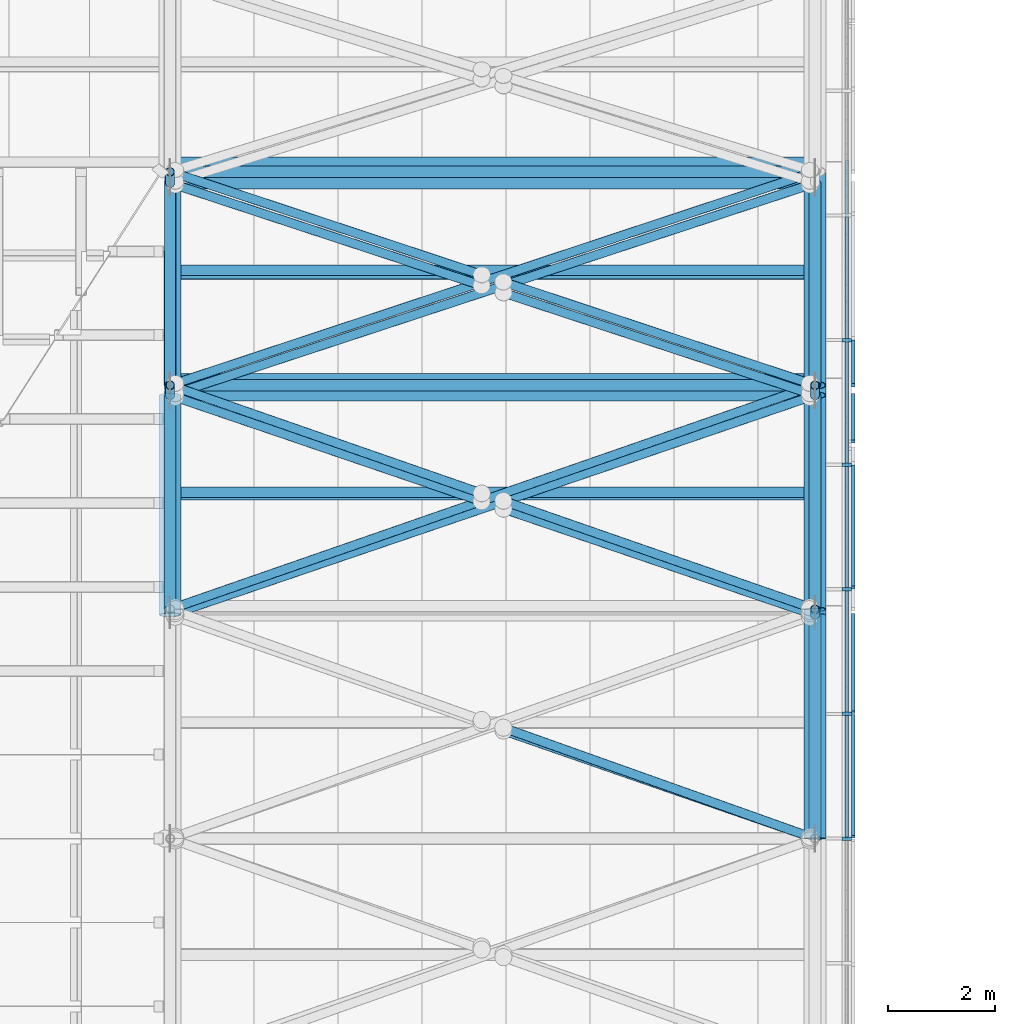
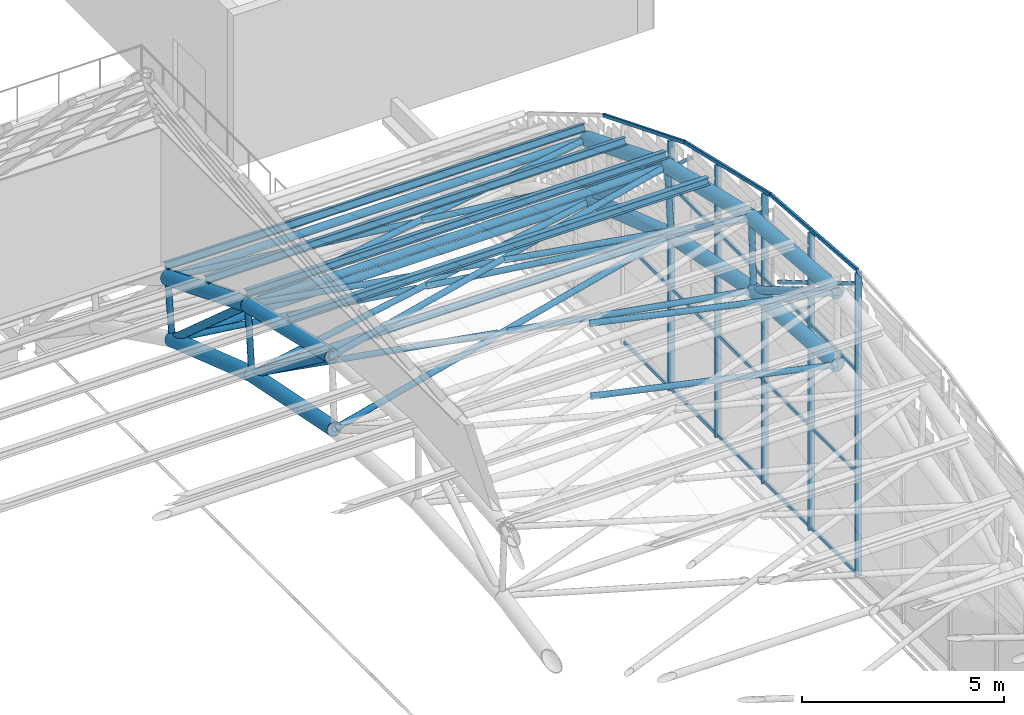
# One storey, part 39 of 110: 68 members, 1 element without a shape of its own.
"""IFC4 building model written with IfcOpenShell, lengths in metres."""

import ifcopenshell
import ifcopenshell.guid

model = None  # the IFC model being written
_history = None  # IfcOwnerHistory: only IFC2X3 demands one
_inside = {}  # id of a spatial element -> (the spatial element, [elements in it])
_under = {}  # id of a project, library or spatial element -> (it, [spatial elements below it])
_declared = {}  # id of a project -> (the project, [libraries it declares])
_typed = {}  # id of a type object -> (the type object, [elements of that type])
_made_of = {}  # id of a material, layer set ... -> (it, [elements and type objects made of it])


def new_model(schema):
    """Start an empty IFC model of exactly this schema.

    Asked for "IFC4X3", IfcOpenShell would pick the latest addendum, in which some entities
    have other attributes; the version numbers below select the first issue.
    IFC2X3 requires an IfcOwnerHistory on every rooted entity: one is made here for all.
    """
    global model, _history
    if schema == "IFC4X3":
        model = ifcopenshell.file(schema_version=(4, 3, 0, 0))
    else:
        model = ifcopenshell.file(schema=schema)
    _inside.clear()
    _under.clear()
    _declared.clear()
    _typed.clear()
    _made_of.clear()
    _history = None
    if model.schema == "IFC2X3":
        org = make("IfcOrganization", Name="unknown")
        user = make(
            "IfcPersonAndOrganization",
            ThePerson=make("IfcPerson", FamilyName="unknown"),
            TheOrganization=org,
        )
        app = make(
            "IfcApplication",
            ApplicationDeveloper=org,
            Version="unknown",
            ApplicationFullName="unknown",
            ApplicationIdentifier="unknown",
        )
        _history = make(
            "IfcOwnerHistory",
            OwningUser=user,
            OwningApplication=app,
            ChangeAction="ADDED",
            CreationDate=0,
        )
    return model


def make(cls, **values):
    """One entity of the class cls with the attributes given. An attribute that is None is left unset."""
    return model.create_entity(
        cls, **{name: value for name, value in values.items() if value is not None}
    )


def rooted(cls, **values):
    """An entity with a GlobalId (a new one), such as an element, a storey or a relation."""
    return make(cls, GlobalId=ifcopenshell.guid.new(), OwnerHistory=_history, **values)


def si_unit(unit_type, name, prefix=None):
    """IfcSIUnit, for example si_unit("LENGTHUNIT", "METRE", prefix="MILLI")."""
    return make("IfcSIUnit", UnitType=unit_type, Prefix=prefix, Name=name)


def assignment(units):
    """IfcUnitAssignment: the units of a project."""
    return None if units is None else make("IfcUnitAssignment", Units=units)


def point(xyz):
    """IfcCartesianPoint."""
    return None if xyz is None else make("IfcCartesianPoint", Coordinates=xyz)


def direction(xyz):
    """IfcDirection."""
    return None if xyz is None else make("IfcDirection", DirectionRatios=xyz)


def frame(location, z_axis=None, x_axis=None):
    """IfcAxis2Placement3D, a coordinate frame: its origin and axes. An axis left out is left unset."""
    return make(
        "IfcAxis2Placement3D",
        Location=point(location),
        Axis=direction(z_axis),
        RefDirection=direction(x_axis),
    )


def frame_2d(location, x_axis=None):
    """IfcAxis2Placement2D, a coordinate frame in the plane: its origin and x axis."""
    return make(
        "IfcAxis2Placement2D", Location=point(location), RefDirection=direction(x_axis)
    )


def origin():
    """The frame at (0, 0, 0) with its axes left unset."""
    return frame((0.0, 0.0, 0.0))


def origin_2d():
    """The frame at (0, 0) in the plane with its x axis left unset."""
    return frame_2d((0.0, 0.0))


def place(relative_to, where):
    """IfcLocalPlacement: puts the frame where relative to a parent placement (None: the world)."""
    return make(
        "IfcLocalPlacement", PlacementRelTo=relative_to, RelativePlacement=where
    )


def context(
    kind, dimensions, precision=None, world=None, true_north=None, identifier=None
):
    """IfcGeometricRepresentationContext, for example the 3D "Model" context."""
    return make(
        "IfcGeometricRepresentationContext",
        ContextIdentifier=identifier,
        ContextType=kind,
        CoordinateSpaceDimension=dimensions,
        Precision=precision,
        WorldCoordinateSystem=world,
        TrueNorth=true_north,
    )


def subcontext(parent, identifier, kind, view, scale=None):
    """IfcGeometricRepresentationSubContext, for example "Body" below "Model"."""
    return make(
        "IfcGeometricRepresentationSubContext",
        ContextIdentifier=identifier,
        ContextType=kind,
        ParentContext=parent,
        TargetScale=scale,
        TargetView=view,
    )


def project(units=None, contexts=None):
    """IfcProject with its units and contexts."""
    return rooted(
        "IfcProject",
        Name="project",
        RepresentationContexts=contexts,
        UnitsInContext=assignment(units),
    )


def spatial(cls, under=None, at=None, **own):
    """A site, building, storey or space (cls), placed at a placement, below another one or the project."""
    s = rooted(cls, ObjectPlacement=at, **own)
    if under is not None:
        _under.setdefault(under.id(), (under, []))[1].append(s)
    return s


def profile(cls, at=None, kind="AREA", **sizes):
    """A parametric profile (cls). Its sizes go by their IFC names, for example OverallWidth=200.0."""
    return make(cls, ProfileType=kind, Position=at, **sizes)


def rectangle(**sizes):
    """IfcRectangleProfileDef."""
    return profile("IfcRectangleProfileDef", **sizes)


def hollow_circle(**sizes):
    """IfcCircleHollowProfileDef."""
    return profile("IfcCircleHollowProfileDef", **sizes)


def i_section(**sizes):
    """IfcIShapeProfileDef."""
    return profile("IfcIShapeProfileDef", **sizes)


def extrude(swept, where, along, depth):
    """IfcExtrudedAreaSolid: the profile swept, set in the frame where, extruded along a direction by depth."""
    return make(
        "IfcExtrudedAreaSolid",
        SweptArea=swept,
        Position=where,
        ExtrudedDirection=direction(along),
        Depth=depth,
    )


def shape(context_of_items, identifier, shape_type, items):
    """IfcShapeRepresentation: the items that make up one representation, for example the "Body"."""
    return make(
        "IfcShapeRepresentation",
        ContextOfItems=context_of_items,
        RepresentationIdentifier=identifier,
        RepresentationType=shape_type,
        Items=items,
    )


def material(Name=None, Category=None):
    """IfcMaterial."""
    return make("IfcMaterial", Name=Name, Category=Category)


def layer(
    of_material, thickness, ventilated=None, Name=None, Category=None, Priority=None
):
    """IfcMaterialLayer: one layer of a wall or slab, of a material (None: an air gap)."""
    return make(
        "IfcMaterialLayer",
        Material=of_material,
        LayerThickness=thickness,
        IsVentilated=ventilated,
        Name=Name,
        Category=Category,
        Priority=Priority,
    )


def layer_set(layers, Name=None):
    """IfcMaterialLayerSet."""
    return make("IfcMaterialLayerSet", MaterialLayers=layers, LayerSetName=Name)


def material_profile(
    of_material, cross_section, Name=None, Category=None, Priority=None
):
    """IfcMaterialProfile: a cross section and its material."""
    return make(
        "IfcMaterialProfile",
        Name=Name,
        Material=of_material,
        Profile=cross_section,
        Priority=Priority,
        Category=Category,
    )


def profile_set(profiles, Name=None, composite=None):
    """IfcMaterialProfileSet."""
    return make(
        "IfcMaterialProfileSet",
        Name=Name,
        MaterialProfiles=profiles,
        CompositeProfile=composite,
    )


def made_of(thing, what):
    """Note that an element or type object is made of a material, layer set ...; save() writes the relation."""
    if what is not None:
        _made_of.setdefault(what.id(), (what, []))[1].append(thing)
    return thing


def type_object(cls, material=None, **own):
    """A type object (cls), such as IfcWallType, which elements share."""
    return made_of(rooted(cls, **own), material)


def element(
    cls,
    number,
    at=None,
    inside=None,
    cuts=None,
    type_object=None,
    material=None,
    context=None,
    identifier="Body",
    shape_type=None,
    held_by="IfcProductDefinitionShape",
    body=None,
    shapes=None,
    **own,
):
    """One element of the class cls, such as IfcWall. Its Tag is "e" and its number.

    at: its placement. inside: the storey or other place that contains it. cuts: it is an
    opening in that element (IfcRelVoidsElement). A single representation is given by context,
    identifier, shape_type and body (its items); several are given by shapes. held_by: the class
    of the entity that holds the representations. save() writes the other relations.
    """
    e = rooted(cls, Tag="e%d" % number, ObjectPlacement=at, **own)
    if body is not None:
        shapes = [shape(context, identifier, shape_type, body)]
    if shapes is not None:
        e.Representation = make(held_by, Representations=shapes)
    if inside is not None:
        _inside.setdefault(inside.id(), (inside, []))[1].append(e)
    if cuts is not None:
        rooted(
            "IfcRelVoidsElement", RelatingBuildingElement=cuts, RelatedOpeningElement=e
        )
    if type_object is not None:
        _typed.setdefault(type_object.id(), (type_object, []))[1].append(e)
    return made_of(e, material)


def aggregate(whole, parts):
    """IfcRelAggregates: a whole, such as a stair, and the parts it consists of."""
    return rooted("IfcRelAggregates", RelatingObject=whole, RelatedObjects=parts)


def save(model, path):
    """Write the relations noted so far, then the file.

    IfcRelAggregates (storeys below a building ...), IfcRelContainedInSpatialStructure (elements
    in a storey), IfcRelDefinesByType, IfcRelAssociatesMaterial and IfcRelDeclares: one each for
    every whole, place, type object, material and project.
    """
    for whole, parts in _under.values():
        aggregate(whole, parts)
    for where, things in _inside.values():
        rooted(
            "IfcRelContainedInSpatialStructure",
            RelatedElements=things,
            RelatingStructure=where,
        )
    for kind, things in _typed.values():
        rooted("IfcRelDefinesByType", RelatedObjects=things, RelatingType=kind)
    for what, things in _made_of.values():
        rooted("IfcRelAssociatesMaterial", RelatedObjects=things, RelatingMaterial=what)
    for by, libraries in _declared.values():
        rooted("IfcRelDeclares", RelatingContext=by, RelatedDefinitions=libraries)
    model.write(path)


model = new_model("IFC4")

# Units and contexts
model_context = context("Model", 3, precision=1e-05, world=origin(), true_north=direction((0.0, 1.0)))
body_context = subcontext(model_context, "Body", "Model", "MODEL_VIEW")
ifc_project = project(units=[si_unit("LENGTHUNIT", "METRE"), si_unit("AREAUNIT", "SQUARE_METRE"), si_unit("VOLUMEUNIT", "CUBIC_METRE"), si_unit("PLANEANGLEUNIT", "RADIAN"), si_unit("MASSUNIT", "GRAM", prefix="KILO")], contexts=[model_context])

# Site, building, storey
site_placement = place(None, origin())
site = spatial("IfcSite", under=ifc_project, at=site_placement, CompositionType="ELEMENT")
building_placement = place(site_placement, origin())
building = spatial("IfcBuilding", under=site, at=building_placement, Name="Windward Yard Aquatics Centre", CompositionType="ELEMENT")
storey_placement = place(building_placement, frame((0.0, 0.0, 22.60009765625)))
storey = spatial("IfcBuildingStorey", under=building, at=storey_placement, Name="L05", CompositionType="ELEMENT", Elevation=22.60009765625)

# Curtain wall, members
ifc_material_1 = material(Name="Glass and aluminium curtain wall", Category="aluminium")
ifc_layer = layer(ifc_material_1, 0.179931640625)
ifc_layer_set = layer_set([ifc_layer], Name="H gable glazing system double glazed 8+16+8")
curtain_wall_type = type_object("IfcCurtainWallType", Name="H gable glazing system double glazed 8+16+8", PredefinedType="NOTDEFINED", material=ifc_layer_set)
curtain_wall_placement = place(storey_placement, origin())
curtain_wall = element("IfcCurtainWall", 1, at=curtain_wall_placement, inside=storey, type_object=curtain_wall_type, Name="Gable glazing E", PredefinedType="NOTDEFINED")
ifc_material_2 = material(Name="Aluminium 6063-T6 anodised", Category="aluminium")
ifc_material_profile_1 = material_profile(ifc_material_2, rectangle(XDim=0.06494140625, YDim=0.179931640625, at=origin_2d()), Name="H CW mullion 65x180")
ifc_profile_set_1 = profile_set([ifc_material_profile_1], Name="Aluminium 6063-T6 anodised")
member_type_1 = type_object("IfcMemberType", Name="H CW mullion 65x180", PredefinedType="MULLION", material=ifc_profile_set_1)
member_1_placement = place(storey_placement, frame((144.590087890625, 61.0, 0.0), z_axis=(0.0, 0.0, 1.0), x_axis=(0.0, 1.0, 0.0)))
member_1 = element("IfcMember", 2, at=member_1_placement, type_object=member_type_1, Name="Gable mullion 10", PredefinedType="MULLION", context=body_context, shape_type="SweptSolid", body=[
    extrude(rectangle(XDim=0.06494140625, YDim=0.179931640625, at=origin_2d()), origin(), (0.0, 0.0, 1.0), 9.180419921875),
])
member_2_placement = place(storey_placement, frame((144.590087890625, 63.3193359375, 0.0), z_axis=(0.0, 0.0, 1.0), x_axis=(0.0, 1.0, 0.0)))
member_2 = element("IfcMember", 3, at=member_2_placement, type_object=member_type_1, Name="Gable mullion 11", PredefinedType="MULLION", context=body_context, shape_type="SweptSolid", body=[
    extrude(rectangle(XDim=0.06494140625, YDim=0.179931640625, at=origin_2d()), origin(), (0.0, 0.0, 1.0), 9.002685546875),
])
member_3_placement = place(storey_placement, frame((144.590087890625, 65.638427734375, 0.0), z_axis=(0.0, 0.0, 1.0), x_axis=(0.0, 1.0, 0.0)))
member_3 = element("IfcMember", 4, at=member_3_placement, type_object=member_type_1, Name="Gable mullion 12", PredefinedType="MULLION", context=body_context, shape_type="SweptSolid", body=[
    extrude(rectangle(XDim=0.06494140625, YDim=0.179931640625, at=origin_2d()), origin(), (0.0, 0.0, 1.0), 8.771240234375),
])
member_4_placement = place(storey_placement, frame((144.590087890625, 67.957763671875, 0.0), z_axis=(0.0, 0.0, 1.0), x_axis=(0.0, 1.0, 0.0)))
member_4 = element("IfcMember", 5, at=member_4_placement, type_object=member_type_1, Name="Gable mullion 13", PredefinedType="MULLION", context=body_context, shape_type="SweptSolid", body=[
    extrude(rectangle(XDim=0.06494140625, YDim=0.179931640625, at=origin_2d()), origin(), (0.0, 0.0, 1.0), 8.22998046875),
])
member_5_placement = place(storey_placement, frame((144.590087890625, 70.27685546875, 0.0), z_axis=(0.0, 0.0, 1.0), x_axis=(0.0, 1.0, 0.0)))
member_5 = element("IfcMember", 6, at=member_5_placement, type_object=member_type_1, Name="Gable mullion 14", PredefinedType="MULLION", context=body_context, shape_type="SweptSolid", body=[
    extrude(rectangle(XDim=0.06494140625, YDim=0.179931640625, at=origin_2d()), origin(), (0.0, 0.0, 1.0), 7.561279296875),
])
ifc_material_profile_2 = material_profile(ifc_material_2, rectangle(XDim=0.06494140625, YDim=0.10009765625, at=origin_2d()), Name="H CW transom 65x100")
ifc_profile_set_2 = profile_set([ifc_material_profile_2], Name="Aluminium 6063-T6 anodised")
member_type_2 = type_object("IfcMemberType", Name="H CW transom 65x100", PredefinedType="USERDEFINED", material=ifc_profile_set_2)
member_6_placement = place(storey_placement, frame((144.590087890625, 61.00390625, 9.232666015625), z_axis=(0.0, 0.997081887747, -0.076339433631), x_axis=(-1.0, 0.0, 0.0)))
member_6 = element("IfcMember", 7, at=member_6_placement, type_object=member_type_2, Name="Gable head rail 6", ObjectType="TRANSOM", PredefinedType="USERDEFINED", context=body_context, shape_type="SweptSolid", body=[
    extrude(rectangle(XDim=0.06494140625, YDim=0.10009765625, at=origin_2d()), origin(), (0.0, 0.0, 1.0), 4.33984375),
])
member_7_placement = place(storey_placement, frame((144.590087890625, 65.338623046875, 8.900146484375), z_axis=(0.0, 0.973831665081, -0.227270517413), x_axis=(-1.0, 0.0, 0.0)))
member_7 = element("IfcMember", 8, at=member_7_placement, type_object=member_type_2, Name="Gable head rail 7", ObjectType="TRANSOM", PredefinedType="USERDEFINED", context=body_context, shape_type="SweptSolid", body=[
    extrude(rectangle(XDim=0.06494140625, YDim=0.10009765625, at=origin_2d()), origin(), (0.0, 0.0, 1.0), 4.33984375),
])
member_8_placement = place(storey_placement, frame((144.590087890625, 69.572265625, 7.911376953125), z_axis=(0.0, 0.927866338697, -0.372912935566), x_axis=(-1.0, 0.0, 0.0)))
member_8 = element("IfcMember", 9, at=member_8_placement, type_object=member_type_2, Name="Gable head rail 8", ObjectType="TRANSOM", PredefinedType="USERDEFINED", context=body_context, shape_type="SweptSolid", body=[
    extrude(rectangle(XDim=0.06494140625, YDim=0.10009765625, at=origin_2d()), origin(), (0.0, 0.0, 1.0), 4.33984375),
])
member_9_placement = place(storey_placement, frame((144.590087890625, 61.032470703125, 0.0498046875), z_axis=(0.0, 1.0, 0.0), x_axis=(-1.0, 0.0, 0.0)))
member_9 = element("IfcMember", 10, at=member_9_placement, type_object=member_type_2, Name="Gable transom 10.1", ObjectType="TRANSOM", PredefinedType="USERDEFINED", context=body_context, shape_type="SweptSolid", body=[
    extrude(rectangle(XDim=0.06494140625, YDim=0.10009765625, at=origin_2d()), origin(), (0.0, 0.0, 1.0), 2.254150390625),
])
member_10_placement = place(storey_placement, frame((144.590087890625, 61.032470703125, 3.099853515625), z_axis=(0.0, 1.0, 0.0), x_axis=(-1.0, 0.0, 0.0)))
member_10 = element("IfcMember", 11, at=member_10_placement, type_object=member_type_2, Name="Gable transom 10.2", ObjectType="TRANSOM", PredefinedType="USERDEFINED", context=body_context, shape_type="SweptSolid", body=[
    extrude(rectangle(XDim=0.06494140625, YDim=0.10009765625, at=origin_2d()), origin(), (0.0, 0.0, 1.0), 2.254150390625),
])
member_11_placement = place(storey_placement, frame((144.590087890625, 61.032470703125, 6.199951171875), z_axis=(0.0, 1.0, 0.0), x_axis=(-1.0, 0.0, 0.0)))
member_11 = element("IfcMember", 12, at=member_11_placement, type_object=member_type_2, Name="Gable transom 10.3", ObjectType="TRANSOM", PredefinedType="USERDEFINED", context=body_context, shape_type="SweptSolid", body=[
    extrude(rectangle(XDim=0.06494140625, YDim=0.10009765625, at=origin_2d()), origin(), (0.0, 0.0, 1.0), 2.254150390625),
])
member_12_placement = place(storey_placement, frame((144.590087890625, 63.351806640625, 0.0498046875), z_axis=(0.0, 1.0, 0.0), x_axis=(-1.0, 0.0, 0.0)))
member_12 = element("IfcMember", 13, at=member_12_placement, type_object=member_type_2, Name="Gable transom 11.1", ObjectType="TRANSOM", PredefinedType="USERDEFINED", context=body_context, shape_type="SweptSolid", body=[
    extrude(rectangle(XDim=0.06494140625, YDim=0.10009765625, at=origin_2d()), origin(), (0.0, 0.0, 1.0), 2.254150390625),
])
member_13_placement = place(storey_placement, frame((144.590087890625, 63.351806640625, 3.099853515625), z_axis=(0.0, 1.0, 0.0), x_axis=(-1.0, 0.0, 0.0)))
member_13 = element("IfcMember", 14, at=member_13_placement, type_object=member_type_2, Name="Gable transom 11.2", ObjectType="TRANSOM", PredefinedType="USERDEFINED", context=body_context, shape_type="SweptSolid", body=[
    extrude(rectangle(XDim=0.06494140625, YDim=0.10009765625, at=origin_2d()), origin(), (0.0, 0.0, 1.0), 2.254150390625),
])
member_14_placement = place(storey_placement, frame((144.590087890625, 63.351806640625, 6.199951171875), z_axis=(0.0, 1.0, 0.0), x_axis=(-1.0, 0.0, 0.0)))
member_14 = element("IfcMember", 15, at=member_14_placement, type_object=member_type_2, Name="Gable transom 11.3", ObjectType="TRANSOM", PredefinedType="USERDEFINED", context=body_context, shape_type="SweptSolid", body=[
    extrude(rectangle(XDim=0.06494140625, YDim=0.10009765625, at=origin_2d()), origin(), (0.0, 0.0, 1.0), 2.254150390625),
])
member_15_placement = place(storey_placement, frame((144.590087890625, 65.6708984375, 0.0498046875), z_axis=(0.0, 1.0, 0.0), x_axis=(-1.0, 0.0, 0.0)))
member_15 = element("IfcMember", 16, at=member_15_placement, type_object=member_type_2, Name="Gable transom 12.1", ObjectType="TRANSOM", PredefinedType="USERDEFINED", context=body_context, shape_type="SweptSolid", body=[
    extrude(rectangle(XDim=0.06494140625, YDim=0.10009765625, at=origin_2d()), origin(), (0.0, 0.0, 1.0), 2.25439453125),
])
member_16_placement = place(storey_placement, frame((144.590087890625, 65.6708984375, 3.099853515625), z_axis=(0.0, 1.0, 0.0), x_axis=(-1.0, 0.0, 0.0)))
member_16 = element("IfcMember", 17, at=member_16_placement, type_object=member_type_2, Name="Gable transom 12.2", ObjectType="TRANSOM", PredefinedType="USERDEFINED", context=body_context, shape_type="SweptSolid", body=[
    extrude(rectangle(XDim=0.06494140625, YDim=0.10009765625, at=origin_2d()), origin(), (0.0, 0.0, 1.0), 2.25439453125),
])
member_17_placement = place(storey_placement, frame((144.590087890625, 65.6708984375, 6.199951171875), z_axis=(0.0, 1.0, 0.0), x_axis=(-1.0, 0.0, 0.0)))
member_17 = element("IfcMember", 18, at=member_17_placement, type_object=member_type_2, Name="Gable transom 12.3", ObjectType="TRANSOM", PredefinedType="USERDEFINED", context=body_context, shape_type="SweptSolid", body=[
    extrude(rectangle(XDim=0.06494140625, YDim=0.10009765625, at=origin_2d()), origin(), (0.0, 0.0, 1.0), 2.25439453125),
])
member_18_placement = place(storey_placement, frame((144.590087890625, 67.990234375, 0.0498046875), z_axis=(0.0, 1.0, 0.0), x_axis=(-1.0, 0.0, 0.0)))
member_18 = element("IfcMember", 19, at=member_18_placement, type_object=member_type_2, Name="Gable transom 13.1", ObjectType="TRANSOM", PredefinedType="USERDEFINED", context=body_context, shape_type="SweptSolid", body=[
    extrude(rectangle(XDim=0.06494140625, YDim=0.10009765625, at=origin_2d()), origin(), (0.0, 0.0, 1.0), 2.254150390625),
])
member_19_placement = place(storey_placement, frame((144.590087890625, 67.990234375, 3.099853515625), z_axis=(0.0, 1.0, 0.0), x_axis=(-1.0, 0.0, 0.0)))
member_19 = element("IfcMember", 20, at=member_19_placement, type_object=member_type_2, Name="Gable transom 13.2", ObjectType="TRANSOM", PredefinedType="USERDEFINED", context=body_context, shape_type="SweptSolid", body=[
    extrude(rectangle(XDim=0.06494140625, YDim=0.10009765625, at=origin_2d()), origin(), (0.0, 0.0, 1.0), 2.254150390625),
])
member_20_placement = place(storey_placement, frame((144.590087890625, 67.990234375, 6.199951171875), z_axis=(0.0, 1.0, 0.0), x_axis=(-1.0, 0.0, 0.0)))
member_20 = element("IfcMember", 21, at=member_20_placement, type_object=member_type_2, Name="Gable transom 13.3", ObjectType="TRANSOM", PredefinedType="USERDEFINED", context=body_context, shape_type="SweptSolid", body=[
    extrude(rectangle(XDim=0.06494140625, YDim=0.10009765625, at=origin_2d()), origin(), (0.0, 0.0, 1.0), 2.254150390625),
])
member_21_placement = place(storey_placement, frame((144.590087890625, 70.309326171875, 0.0498046875), z_axis=(0.0, 1.0, 0.0), x_axis=(-1.0, 0.0, 0.0)))
member_21 = element("IfcMember", 22, at=member_21_placement, type_object=member_type_2, Name="Gable transom 14.1", ObjectType="TRANSOM", PredefinedType="USERDEFINED", context=body_context, shape_type="SweptSolid", body=[
    extrude(rectangle(XDim=0.06494140625, YDim=0.10009765625, at=origin_2d()), origin(), (0.0, 0.0, 1.0), 2.25439453125),
])
member_22_placement = place(storey_placement, frame((144.590087890625, 70.309326171875, 3.099853515625), z_axis=(0.0, 1.0, 0.0), x_axis=(-1.0, 0.0, 0.0)))
member_22 = element("IfcMember", 23, at=member_22_placement, type_object=member_type_2, Name="Gable transom 14.2", ObjectType="TRANSOM", PredefinedType="USERDEFINED", context=body_context, shape_type="SweptSolid", body=[
    extrude(rectangle(XDim=0.06494140625, YDim=0.10009765625, at=origin_2d()), origin(), (0.0, 0.0, 1.0), 2.25439453125),
])
member_23_placement = place(storey_placement, frame((144.71240234375, 61.032470703125, 8.77734375), z_axis=(0.0, 0.859613254044, -0.510945254868), x_axis=(-1.0, 0.0, 0.0)))
member_23 = element("IfcMember", 24, at=member_23_placement, type_object=member_type_2, Name="Gable cover strip 6.1", ObjectType="COVER STRIP", PredefinedType="USERDEFINED", context=body_context, shape_type="SweptSolid", body=[
    extrude(rectangle(XDim=0.06494140625, YDim=0.10009765625, at=origin_2d()), origin(), (0.0, 0.0, 1.0), 2.622314453125),
])
member_24_placement = place(storey_placement, frame((144.71240234375, 63.351806640625, 7.398681640625), z_axis=(0.0, 0.859604754402, -0.510959554378), x_axis=(-1.0, 0.0, 0.0)))
member_24 = element("IfcMember", 25, at=member_24_placement, type_object=member_type_2, Name="Gable cover strip 6.2", ObjectType="COVER STRIP", PredefinedType="USERDEFINED", context=body_context, shape_type="SweptSolid", body=[
    extrude(rectangle(XDim=0.06494140625, YDim=0.10009765625, at=origin_2d()), origin(), (0.0, 0.0, 1.0), 2.104248046875),
])
member_25_placement = place(storey_placement, frame((144.71240234375, 65.6708984375, 8.17041015625), z_axis=(0.0, 0.80243353281, -0.596741506368), x_axis=(-1.0, 0.0, 0.0)))
member_25 = element("IfcMember", 26, at=member_25_placement, type_object=member_type_2, Name="Gable cover strip 7.2", ObjectType="COVER STRIP", PredefinedType="USERDEFINED", context=body_context, shape_type="SweptSolid", body=[
    extrude(rectangle(XDim=0.06494140625, YDim=0.10009765625, at=origin_2d()), origin(), (0.0, 0.0, 1.0), 2.809326171875),
])
member_26_placement = place(storey_placement, frame((144.71240234375, 68.3876953125, 6.14990234375), z_axis=(0.0, 0.802420487219, -0.596759048269), x_axis=(-1.0, 0.0, 0.0)))
member_26 = element("IfcMember", 27, at=member_26_placement, type_object=member_type_2, Name="Gable cover strip 7.4", ObjectType="COVER STRIP", PredefinedType="USERDEFINED", context=body_context, shape_type="SweptSolid", body=[
    extrude(rectangle(XDim=0.06494140625, YDim=0.10009765625, at=origin_2d()), origin(), (0.0, 0.0, 1.0), 1.07421875),
])
member_27_placement = place(storey_placement, frame((144.71240234375, 69.4375, 7.496826171875), z_axis=(0.0, 0.748507881911, -0.663125893566), x_axis=(-1.0, 0.0, 0.0)))
member_27 = element("IfcMember", 28, at=member_27_placement, type_object=member_type_2, Name="Gable cover strip 8.1", ObjectType="COVER STRIP", PredefinedType="USERDEFINED", context=body_context, shape_type="SweptSolid", body=[
    extrude(rectangle(XDim=0.06494140625, YDim=0.10009765625, at=origin_2d()), origin(), (0.0, 0.0, 1.0), 1.077880859375),
])
aggregate(curtain_wall, [member_1, member_2, member_3, member_4, member_5, member_6, member_7, member_8, member_9, member_10, member_11, member_12, member_13, member_14, member_15, member_16, member_17, member_18, member_19, member_20, member_21, member_22, member_23, member_24, member_25, member_26, member_27])

# Members
ifc_material_3 = material(Name="Steel ASTM A500 Gr C", Category="steel")
ifc_material_profile_3 = material_profile(ifc_material_3, hollow_circle(Radius=0.084228515625, WallThickness=0.010986328125, at=origin_2d()), Name="HSS168.3X11")
ifc_profile_set_3 = profile_set([ifc_material_profile_3], Name="Steel ASTM A500 Gr C")
member_type_3 = type_object("IfcMemberType", Name="H arch post HSS168.3X11", PredefinedType="POST", material=ifc_profile_set_3)
member_28_placement = place(storey_placement, frame((132.0, 69.249755859375, 5.5087890625), z_axis=(0.0, 0.094018625473, 0.995570438525), x_axis=(-1.0, 0.0, 0.0)))
element("IfcMember", 29, at=member_28_placement, inside=storey, type_object=member_type_3, Name="H.AT.7.WP08", PredefinedType="POST", context=body_context, shape_type="SweptSolid", body=[
    extrude(hollow_circle(Radius=0.084228515625, WallThickness=0.010986328125, at=origin_2d()), origin(), (0.0, 0.0, 1.0), 1.996826171875),
])
member_29_placement = place(storey_placement, frame((132.0, 73.197265625, 4.16650390625), z_axis=(0.0, 0.121591772527, 0.992580193664), x_axis=(-1.0, 0.0, 0.0)))
element("IfcMember", 30, at=member_29_placement, inside=storey, type_object=member_type_3, Name="H.AT.7.WP09", PredefinedType="POST", context=body_context, shape_type="SweptSolid", body=[
    extrude(hollow_circle(Radius=0.084228515625, WallThickness=0.010986328125, at=origin_2d()), origin(), (0.0, 0.0, 1.0), 1.746826171875),
])
member_30_placement = place(storey_placement, frame((144.0, 65.16064453125, 6.323486328125), z_axis=(0.0, 0.050215263417, 0.998738417865), x_axis=(-1.0, 0.0, 0.0)))
element("IfcMember", 31, at=member_30_placement, inside=storey, type_object=member_type_3, Name="H.AT.8.WP07", PredefinedType="POST", context=body_context, shape_type="SweptSolid", body=[
    extrude(hollow_circle(Radius=0.084228515625, WallThickness=0.010986328125, at=origin_2d()), origin(), (0.0, 0.0, 1.0), 2.14892578125),
])
member_31_placement = place(storey_placement, frame((144.0, 69.249755859375, 5.5087890625), z_axis=(0.0, 0.094018625473, 0.995570438525), x_axis=(-1.0, 0.0, 0.0)))
element("IfcMember", 32, at=member_31_placement, inside=storey, type_object=member_type_3, Name="H.AT.8.WP08", PredefinedType="POST", context=body_context, shape_type="SweptSolid", body=[
    extrude(hollow_circle(Radius=0.084228515625, WallThickness=0.010986328125, at=origin_2d()), origin(), (0.0, 0.0, 1.0), 1.996826171875),
])
ifc_material_profile_4 = material_profile(ifc_material_3, hollow_circle(Radius=0.203125, WallThickness=0.015869140625, at=origin_2d()), Name="HSS406.4X15.9")
ifc_profile_set_4 = profile_set([ifc_material_profile_4], Name="Steel ASTM A500 Gr C")
member_type_4 = type_object("IfcMemberType", Name="H arch top chord HSS406.4X15.9", PredefinedType="CHORD", material=ifc_profile_set_4)
member_32_placement = place(storey_placement, frame((132.0, 65.2685546875, 8.4697265625), z_axis=(0.0, 0.973833637334, -0.227262066337), x_axis=(-1.0, 0.0, 0.0)))
element("IfcMember", 33, at=member_32_placement, inside=storey, type_object=member_type_4, Name="H.AT.7.TC07", PredefinedType="CHORD", context=body_context, shape_type="SweptSolid", body=[
    extrude(hollow_circle(Radius=0.203125, WallThickness=0.015869140625, at=origin_2d()), origin(), (0.0, 0.0, 1.0), 4.281005859375),
])
member_33_placement = place(storey_placement, frame((132.0, 65.16064453125, 6.323486328125), z_axis=(0.0, 0.980724544319, -0.195395414914), x_axis=(-1.0, 0.0, 0.0)))
element("IfcMember", 34, at=member_33_placement, inside=storey, type_object=member_type_4, Name="H.AT.7.BC07", PredefinedType="CHORD", context=body_context, shape_type="SweptSolid", body=[
    extrude(hollow_circle(Radius=0.203125, WallThickness=0.015869140625, at=origin_2d()), origin(), (0.0, 0.0, 1.0), 4.16943359375),
])
member_34_placement = place(storey_placement, frame((132.0, 69.4375, 7.496826171875), z_axis=(0.0, 0.92786581708, -0.372914233429), x_axis=(-1.0, 0.0, 0.0)))
element("IfcMember", 35, at=member_34_placement, inside=storey, type_object=member_type_4, Name="H.AT.7.TC08", PredefinedType="CHORD", context=body_context, shape_type="SweptSolid", body=[
    extrude(hollow_circle(Radius=0.203125, WallThickness=0.015869140625, at=origin_2d()), origin(), (0.0, 0.0, 1.0), 4.281005859375),
])
member_35_placement = place(storey_placement, frame((132.0, 69.249755859375, 5.5087890625), z_axis=(0.0, 0.946763107829, -0.321931075938), x_axis=(-1.0, 0.0, 0.0)))
element("IfcMember", 36, at=member_35_placement, inside=storey, type_object=member_type_4, Name="H.AT.7.BC08", PredefinedType="CHORD", context=body_context, shape_type="SweptSolid", body=[
    extrude(hollow_circle(Radius=0.203125, WallThickness=0.015869140625, at=origin_2d()), origin(), (0.0, 0.0, 1.0), 4.16943359375),
])
member_36_placement = place(storey_placement, frame((144.0, 61.0, 8.796630859375), z_axis=(0.0, 0.997080259355, -0.076360699341), x_axis=(-1.0, 0.0, 0.0)))
element("IfcMember", 37, at=member_36_placement, inside=storey, type_object=member_type_4, Name="H.AT.8.TC06", PredefinedType="CHORD", context=body_context, shape_type="SweptSolid", body=[
    extrude(hollow_circle(Radius=0.203125, WallThickness=0.015869140625, at=origin_2d()), origin(), (0.0, 0.0, 1.0), 4.281005859375),
])
member_37_placement = place(storey_placement, frame((144.0, 61.0, 6.5966796875), z_axis=(0.0, 0.997851241995, -0.065520217098), x_axis=(-1.0, 0.0, 0.0)))
element("IfcMember", 38, at=member_37_placement, inside=storey, type_object=member_type_4, Name="H.AT.8.BC06", PredefinedType="CHORD", context=body_context, shape_type="SweptSolid", body=[
    extrude(hollow_circle(Radius=0.203125, WallThickness=0.015869140625, at=origin_2d()), origin(), (0.0, 0.0, 1.0), 4.169677734375),
])
member_38_placement = place(storey_placement, frame((144.0, 65.2685546875, 8.4697265625), z_axis=(0.0, 0.973833637334, -0.227262066337), x_axis=(-1.0, 0.0, 0.0)))
element("IfcMember", 39, at=member_38_placement, inside=storey, type_object=member_type_4, Name="H.AT.8.TC07", PredefinedType="CHORD", context=body_context, shape_type="SweptSolid", body=[
    extrude(hollow_circle(Radius=0.203125, WallThickness=0.015869140625, at=origin_2d()), origin(), (0.0, 0.0, 1.0), 4.281005859375),
])
member_39_placement = place(storey_placement, frame((144.0, 65.16064453125, 6.323486328125), z_axis=(0.0, 0.980724544319, -0.195395414914), x_axis=(-1.0, 0.0, 0.0)))
element("IfcMember", 40, at=member_39_placement, inside=storey, type_object=member_type_4, Name="H.AT.8.BC07", PredefinedType="CHORD", context=body_context, shape_type="SweptSolid", body=[
    extrude(hollow_circle(Radius=0.203125, WallThickness=0.015869140625, at=origin_2d()), origin(), (0.0, 0.0, 1.0), 4.16943359375),
])
member_40_placement = place(storey_placement, frame((144.0, 69.4375, 7.496826171875), z_axis=(0.0, 0.92786581708, -0.372914233429), x_axis=(-1.0, 0.0, 0.0)))
element("IfcMember", 41, at=member_40_placement, inside=storey, type_object=member_type_4, Name="H.AT.8.TC08", PredefinedType="CHORD", context=body_context, shape_type="SweptSolid", body=[
    extrude(hollow_circle(Radius=0.203125, WallThickness=0.015869140625, at=origin_2d()), origin(), (0.0, 0.0, 1.0), 4.281005859375),
])
member_41_placement = place(storey_placement, frame((144.0, 69.249755859375, 5.5087890625), z_axis=(0.0, 0.946763107829, -0.321931075938), x_axis=(-1.0, 0.0, 0.0)))
element("IfcMember", 42, at=member_41_placement, inside=storey, type_object=member_type_4, Name="H.AT.8.BC08", PredefinedType="CHORD", context=body_context, shape_type="SweptSolid", body=[
    extrude(hollow_circle(Radius=0.203125, WallThickness=0.015869140625, at=origin_2d()), origin(), (0.0, 0.0, 1.0), 4.16943359375),
])
ifc_material_profile_5 = material_profile(ifc_material_3, hollow_circle(Radius=0.109619140625, WallThickness=0.00830078125, at=origin_2d()), Name="HSS219.1X8.2")
ifc_profile_set_5 = profile_set([ifc_material_profile_5], Name="Steel ASTM A500 Gr C")
member_type_5 = type_object("IfcMemberType", Name="H arch web diagonal HSS219.1X8.2", PredefinedType="BRACE", material=ifc_profile_set_5)
member_42_placement = place(storey_placement, frame((132.0, 65.2685546875, 8.4697265625), z_axis=(0.0, 0.802408568981, -0.596775073563), x_axis=(-1.0, 0.0, 0.0)))
element("IfcMember", 43, at=member_42_placement, inside=storey, type_object=member_type_5, Name="H.AT.7.WD07", PredefinedType="BRACE", context=body_context, shape_type="SweptSolid", body=[
    extrude(hollow_circle(Radius=0.109619140625, WallThickness=0.00830078125, at=origin_2d()), origin(), (0.0, 0.0, 1.0), 4.961669921875),
])
member_43_placement = place(storey_placement, frame((132.0, 69.4375, 7.496826171875), z_axis=(0.0, 0.748564053538, -0.663062484047), x_axis=(-1.0, 0.0, 0.0)))
element("IfcMember", 44, at=member_43_placement, inside=storey, type_object=member_type_5, Name="H.AT.7.WD08", PredefinedType="BRACE", context=body_context, shape_type="SweptSolid", body=[
    extrude(hollow_circle(Radius=0.109619140625, WallThickness=0.00830078125, at=origin_2d()), origin(), (0.0, 0.0, 1.0), 5.022705078125),
])
member_44_placement = place(storey_placement, frame((144.0, 61.0, 8.796630859375), z_axis=(0.0, 0.859604150376, -0.51096057055), x_axis=(-1.0, 0.0, 0.0)))
element("IfcMember", 45, at=member_44_placement, inside=storey, type_object=member_type_5, Name="H.AT.8.WD06", PredefinedType="BRACE", context=body_context, shape_type="SweptSolid", body=[
    extrude(hollow_circle(Radius=0.109619140625, WallThickness=0.00830078125, at=origin_2d()), origin(), (0.0, 0.0, 1.0), 4.840087890625),
])
member_45_placement = place(storey_placement, frame((144.0, 65.2685546875, 8.4697265625), z_axis=(0.0, 0.802408568981, -0.596775073563), x_axis=(-1.0, 0.0, 0.0)))
element("IfcMember", 46, at=member_45_placement, inside=storey, type_object=member_type_5, Name="H.AT.8.WD07", PredefinedType="BRACE", context=body_context, shape_type="SweptSolid", body=[
    extrude(hollow_circle(Radius=0.109619140625, WallThickness=0.00830078125, at=origin_2d()), origin(), (0.0, 0.0, 1.0), 4.961669921875),
])
member_46_placement = place(storey_placement, frame((144.0, 69.4375, 7.496826171875), z_axis=(0.0, 0.748564053538, -0.663062484047), x_axis=(-1.0, 0.0, 0.0)))
element("IfcMember", 47, at=member_46_placement, inside=storey, type_object=member_type_5, Name="H.AT.8.WD08", PredefinedType="BRACE", context=body_context, shape_type="SweptSolid", body=[
    extrude(hollow_circle(Radius=0.109619140625, WallThickness=0.00830078125, at=origin_2d()), origin(), (0.0, 0.0, 1.0), 5.022705078125),
])
ifc_material_profile_6 = material_profile(ifc_material_3, hollow_circle(Radius=0.084228515625, WallThickness=0.007080078125, at=origin_2d()), Name="HSS168.3X7.1")
ifc_profile_set_6 = profile_set([ifc_material_profile_6], Name="Steel ASTM A500 Gr C")
member_type_6 = type_object("IfcMemberType", Name="H roof brace HSS168.3X7.1", PredefinedType="BRACE", material=ifc_profile_set_6)
member_47_placement = place(storey_placement, frame((138.1064453125, 63.096435546875, 8.63623046875), z_axis=(0.941857174882, -0.33503428172, 0.025633809606), x_axis=(0.335144410202, 0.942166770965, 0.0)))
element("IfcMember", 48, at=member_47_placement, inside=storey, type_object=member_type_6, Name="H.RB.7.T06B2", PredefinedType="BRACE", context=body_context, shape_type="SweptSolid", body=[
    extrude(hollow_circle(Radius=0.084228515625, WallThickness=0.007080078125, at=origin_2d()), origin(), (0.0, 0.0, 1.0), 6.25732421875),
])
member_48_placement = place(storey_placement, frame((132.0, 65.2685546875, 8.4697265625), z_axis=(0.941859984788, 0.327213564051, -0.076361328926), x_axis=(-0.32817175629, 0.944618070108, 0.0)))
element("IfcMember", 49, at=member_48_placement, inside=storey, type_object=member_type_6, Name="H.RB.7.T07A", PredefinedType="BRACE", context=body_context, shape_type="SweptSolid", body=[
    extrude(hollow_circle(Radius=0.084228515625, WallThickness=0.007080078125, at=origin_2d()), origin(), (0.0, 0.0, 1.0), 12.74072265625),
])
for number, where, z_axis, x_axis, name in (
    (50, (132.0, 69.4375, 7.496826171875), (0.941854737477, -0.327230144292, 0.07635500088), (0.328188225573, 0.944612348318, 0.0), "H.RB.7.T07B1"),
    (51, (138.1064453125, 67.31591796875, 7.991943359375), (0.941866761957, -0.327195305127, 0.07635597569), (0.328153308973, 0.944624478727, 0.0), "H.RB.7.T07B2"),
):
    element("IfcMember", number, at=place(storey_placement, frame(where, z_axis=z_axis, x_axis=x_axis)), inside=storey, type_object=member_type_6, Name=name, PredefinedType="BRACE", context=body_context, shape_type="SweptSolid", body=[
        extrude(hollow_circle(Radius=0.084228515625, WallThickness=0.007080078125, at=origin_2d()), origin(), (0.0, 0.0, 1.0), 6.25732421875),
    ])
member_49_placement = place(storey_placement, frame((132.0, 69.4375, 7.496826171875), z_axis=(0.941859739241, 0.311768757272, -0.125301530658), x_axis=(-0.314245417859, 0.949341781107, 0.0)))
element("IfcMember", 52, at=member_49_placement, inside=storey, type_object=member_type_6, Name="H.RB.7.T08A", PredefinedType="BRACE", context=body_context, shape_type="SweptSolid", body=[
    extrude(hollow_circle(Radius=0.084228515625, WallThickness=0.007080078125, at=origin_2d()), origin(), (0.0, 0.0, 1.0), 12.74072265625),
])
for number, where, z_axis, x_axis, name in (
    (53, (132.0, 73.40966796875, 5.900390625), (0.941853728826, -0.311779335006, 0.125320388442), (0.314256834084, 0.9493380021, 0.0), "H.RB.7.T08B1"),
    (54, (138.1064453125, 71.388427734375, 6.712890625), (0.941858333374, -0.311780859237, 0.125281984609), (0.314256834084, 0.9493380021, 0.0), "H.RB.7.T08B2"),
):
    element("IfcMember", number, at=place(storey_placement, frame(where, z_axis=z_axis, x_axis=x_axis)), inside=storey, type_object=member_type_6, Name=name, PredefinedType="BRACE", context=body_context, shape_type="SweptSolid", body=[
        extrude(hollow_circle(Radius=0.084228515625, WallThickness=0.007080078125, at=origin_2d()), origin(), (0.0, 0.0, 1.0), 6.25732421875),
    ])
member_50_placement = place(storey_placement, frame((138.109375, 63.04248046875, 6.462646484375), z_axis=(0.944598229058, -0.327524402532, 0.021493054864), x_axis=(0.327600078932, 0.944816483918, 0.0)))
element("IfcMember", 55, at=member_50_placement, inside=storey, type_object=member_type_6, Name="H.RB.7.B06B2", PredefinedType="BRACE", context=body_context, shape_type="SweptSolid", body=[
    extrude(hollow_circle(Radius=0.084228515625, WallThickness=0.007080078125, at=origin_2d()), origin(), (0.0, 0.0, 1.0), 6.236083984375),
])
member_51_placement = place(storey_placement, frame((132.0, 65.16064453125, 6.323486328125), z_axis=(0.944605023003, 0.321882925014, -0.064130594111), x_axis=(-0.322546883009, 0.946553489382, 0.0)))
element("IfcMember", 56, at=member_51_placement, inside=storey, type_object=member_type_6, Name="H.RB.7.B07A", PredefinedType="BRACE", context=body_context, shape_type="SweptSolid", body=[
    extrude(hollow_circle(Radius=0.084228515625, WallThickness=0.007080078125, at=origin_2d()), origin(), (0.0, 0.0, 1.0), 12.70361328125),
])
for number, where, z_axis, x_axis, name in (
    (57, (132.0, 69.249755859375, 5.5087890625), (0.944603317276, -0.321888613836, 0.064127164858), (0.322552512339, 0.946551571117, 0.0), "H.RB.7.B07B1"),
    (58, (138.109375, 67.16796875, 5.923583984375), (0.944603317276, -0.321888613836, 0.064127164858), (0.322552512339, 0.946551571117, 0.0), "H.RB.7.B07B2"),
):
    element("IfcMember", number, at=place(storey_placement, frame(where, z_axis=z_axis, x_axis=x_axis)), inside=storey, type_object=member_type_6, Name=name, PredefinedType="BRACE", context=body_context, shape_type="SweptSolid", body=[
        extrude(hollow_circle(Radius=0.084228515625, WallThickness=0.007080078125, at=origin_2d()), origin(), (0.0, 0.0, 1.0), 6.236083984375),
    ])
member_52_placement = place(storey_placement, frame((132.0, 69.249755859375, 5.5087890625), z_axis=(0.944605023876, 0.310736463034, -0.105660775172), x_axis=(-0.312485685154, 0.949922468717, 0.0)))
element("IfcMember", 59, at=member_52_placement, inside=storey, type_object=member_type_6, Name="H.RB.7.B08A", PredefinedType="BRACE", context=body_context, shape_type="SweptSolid", body=[
    extrude(hollow_circle(Radius=0.084228515625, WallThickness=0.007080078125, at=origin_2d()), origin(), (0.0, 0.0, 1.0), 12.70361328125),
])
for number, where, z_axis, x_axis, name in (
    (60, (132.0, 73.197265625, 4.16650390625), (0.944606037687, -0.310731851837, 0.105665272535), (0.312481198168, 0.94992394474, 0.0), "H.RB.7.B08B1"),
    (61, (138.109375, 71.1875, 4.849853515625), (0.944606037687, -0.310731851837, 0.105665272535), (0.312481198168, 0.94992394474, 0.0), "H.RB.7.B08B2"),
):
    element("IfcMember", number, at=place(storey_placement, frame(where, z_axis=z_axis, x_axis=x_axis)), inside=storey, type_object=member_type_6, Name=name, PredefinedType="BRACE", context=body_context, shape_type="SweptSolid", body=[
        extrude(hollow_circle(Radius=0.084228515625, WallThickness=0.007080078125, at=origin_2d()), origin(), (0.0, 0.0, 1.0), 6.236083984375),
    ])
ifc_material_4 = material(Name="Steel ASTM A992 Gr 50", Category="steel")
ifc_material_profile_7 = material_profile(ifc_material_4, i_section(OverallWidth=0.202880859375, OverallDepth=0.202880859375, WebThickness=0.00732421875, FlangeThickness=0.010986328125, at=origin_2d()), Name="W200X46.1")
ifc_profile_set_7 = profile_set([ifc_material_profile_7], Name="Steel ASTM A992 Gr 50")
member_type_7 = type_object("IfcMemberType", Name="H roof purlin W200X46.1", PredefinedType="PURLIN", material=ifc_profile_set_7)
for number, where, z_axis, x_axis, name in (
    (62, (132.0, 67.422119140625, 8.280029296875), (1.0, 0.0, 0.0), (0.0, 0.973829299376, -0.227280653986), "H.PU.7.14"),
    (63, (132.0, 69.529052734375, 7.787353515625), (1.0, 0.0, 0.0), (0.0, 0.953632764452, -0.300972674115), "H.PU.7.15"),
    (64, (132.0, 71.537109375, 6.9814453125), (1.0, 0.0, 0.0), (0.0, 0.927868526784, -0.372907491214), "H.PU.7.16"),
    (65, (132.0, 73.54443359375, 6.173583984375), (1.0, 0.0, 0.0), (0.0, 0.896687008655, -0.44266512005), "H.PU.7.17"),
):
    element("IfcMember", number, at=place(storey_placement, frame(where, z_axis=z_axis, x_axis=x_axis)), inside=storey, type_object=member_type_7, Name=name, PredefinedType="PURLIN", context=body_context, shape_type="SweptSolid", body=[
        extrude(i_section(OverallWidth=0.202880859375, OverallDepth=0.202880859375, WebThickness=0.00732421875, FlangeThickness=0.010986328125, at=origin_2d()), origin(), (0.0, 0.0, 1.0), 12.0),
    ])
ifc_material_profile_8 = material_profile(ifc_material_3, hollow_circle(Radius=0.109619140625, WallThickness=0.00830078125, at=origin_2d()), Name="HSS219.1X8.2")
ifc_profile_set_8 = profile_set([ifc_material_profile_8], Name="Steel ASTM A500 Gr C")
member_type_8 = type_object("IfcMemberType", Name="H roof strut HSS219.1X8.2", PredefinedType="STRUT", material=ifc_profile_set_8)
for number, where, z_axis, x_axis, name in (
    (66, (132.0, 69.4375, 7.496826171875), (1.0, 0.0, 0.0), (0.0, 1.0, 0.0), "H.RS.7.T08"),
    (67, (132.0, 73.40966796875, 5.900390625), (1.0, 0.0, 0.0), (0.0, 1.0, 0.0), "H.RS.7.T09"),
    (68, (132.0, 69.249755859375, 5.5087890625), (1.0, 0.0, 0.0), (0.0, 1.0, 0.0), "H.RS.7.B08"),
    (69, (132.0, 73.197265625, 4.16650390625), (1.0, 0.0, 0.0), (0.0, 1.0, 0.0), "H.RS.7.B09"),
):
    element("IfcMember", number, at=place(storey_placement, frame(where, z_axis=z_axis, x_axis=x_axis)), inside=storey, type_object=member_type_8, Name=name, PredefinedType="STRUT", context=body_context, shape_type="SweptSolid", body=[
        extrude(hollow_circle(Radius=0.109619140625, WallThickness=0.00830078125, at=origin_2d()), origin(), (0.0, 0.0, 1.0), 12.0),
    ])

save(model, "model.ifc")
